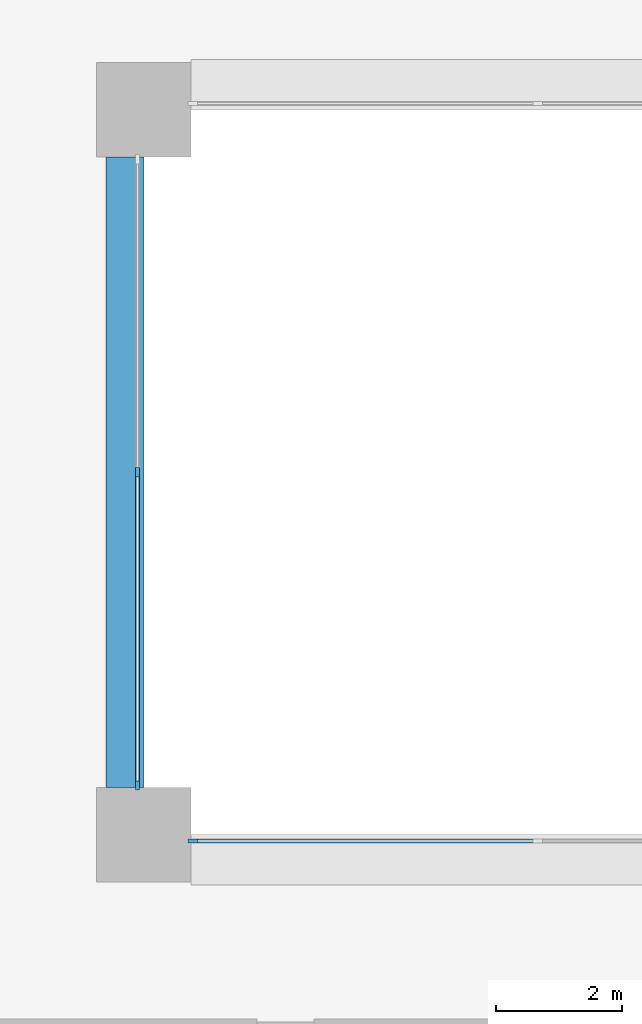
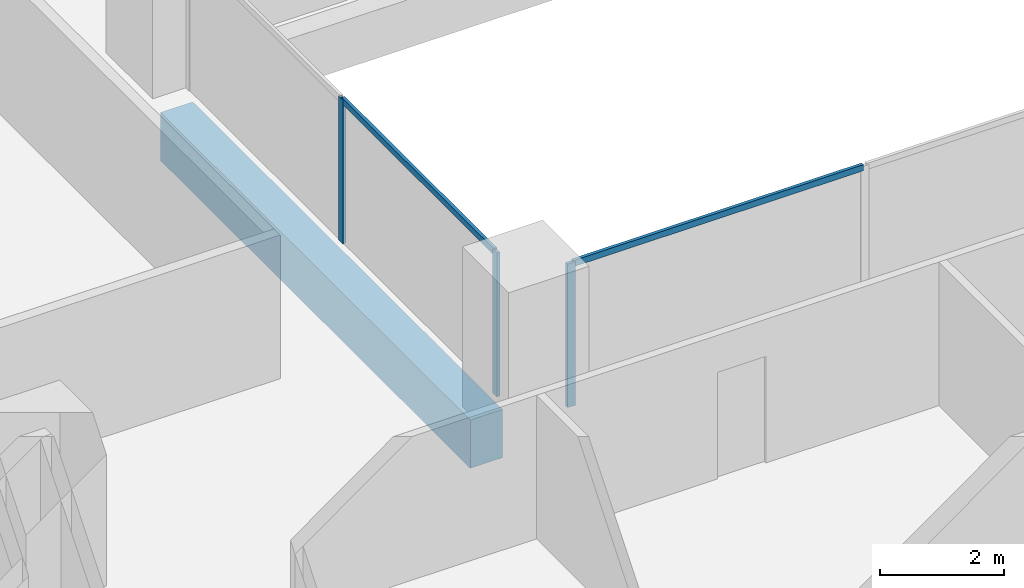
# One storey, part 2 of 20: 5 members, 1 beam, 2 elements without a shape of their own.
"""IFC4 building model written with IfcOpenShell, lengths in metres."""

import ifcopenshell
import ifcopenshell.guid

model = None  # the IFC model being written
_history = None  # IfcOwnerHistory: only IFC2X3 demands one
_inside = {}  # id of a spatial element -> (the spatial element, [elements in it])
_under = {}  # id of a project, library or spatial element -> (it, [spatial elements below it])
_declared = {}  # id of a project -> (the project, [libraries it declares])
_typed = {}  # id of a type object -> (the type object, [elements of that type])
_made_of = {}  # id of a material, layer set ... -> (it, [elements and type objects made of it])


def new_model(schema):
    """Start an empty IFC model of exactly this schema.

    Asked for "IFC4X3", IfcOpenShell would pick the latest addendum, in which some entities
    have other attributes; the version numbers below select the first issue.
    IFC2X3 requires an IfcOwnerHistory on every rooted entity: one is made here for all.
    """
    global model, _history
    if schema == "IFC4X3":
        model = ifcopenshell.file(schema_version=(4, 3, 0, 0))
    else:
        model = ifcopenshell.file(schema=schema)
    _inside.clear()
    _under.clear()
    _declared.clear()
    _typed.clear()
    _made_of.clear()
    _history = None
    if model.schema == "IFC2X3":
        org = make("IfcOrganization", Name="unknown")
        user = make(
            "IfcPersonAndOrganization",
            ThePerson=make("IfcPerson", FamilyName="unknown"),
            TheOrganization=org,
        )
        app = make(
            "IfcApplication",
            ApplicationDeveloper=org,
            Version="unknown",
            ApplicationFullName="unknown",
            ApplicationIdentifier="unknown",
        )
        _history = make(
            "IfcOwnerHistory",
            OwningUser=user,
            OwningApplication=app,
            ChangeAction="ADDED",
            CreationDate=0,
        )
    return model


def make(cls, **values):
    """One entity of the class cls with the attributes given. An attribute that is None is left unset."""
    return model.create_entity(
        cls, **{name: value for name, value in values.items() if value is not None}
    )


def rooted(cls, **values):
    """An entity with a GlobalId (a new one), such as an element, a storey or a relation."""
    return make(cls, GlobalId=ifcopenshell.guid.new(), OwnerHistory=_history, **values)


def si_unit(unit_type, name, prefix=None):
    """IfcSIUnit, for example si_unit("LENGTHUNIT", "METRE", prefix="MILLI")."""
    return make("IfcSIUnit", UnitType=unit_type, Prefix=prefix, Name=name)


def assignment(units):
    """IfcUnitAssignment: the units of a project."""
    return None if units is None else make("IfcUnitAssignment", Units=units)


def point(xyz):
    """IfcCartesianPoint."""
    return None if xyz is None else make("IfcCartesianPoint", Coordinates=xyz)


def direction(xyz):
    """IfcDirection."""
    return None if xyz is None else make("IfcDirection", DirectionRatios=xyz)


def frame(location, z_axis=None, x_axis=None):
    """IfcAxis2Placement3D, a coordinate frame: its origin and axes. An axis left out is left unset."""
    return make(
        "IfcAxis2Placement3D",
        Location=point(location),
        Axis=direction(z_axis),
        RefDirection=direction(x_axis),
    )


def frame_2d(location, x_axis=None):
    """IfcAxis2Placement2D, a coordinate frame in the plane: its origin and x axis."""
    return make(
        "IfcAxis2Placement2D", Location=point(location), RefDirection=direction(x_axis)
    )


def origin():
    """The frame at (0, 0, 0) with its axes left unset."""
    return frame((0.0, 0.0, 0.0))


def origin_2d():
    """The frame at (0, 0) in the plane with its x axis left unset."""
    return frame_2d((0.0, 0.0))


def place(relative_to, where):
    """IfcLocalPlacement: puts the frame where relative to a parent placement (None: the world)."""
    return make(
        "IfcLocalPlacement", PlacementRelTo=relative_to, RelativePlacement=where
    )


def context(
    kind, dimensions, precision=None, world=None, true_north=None, identifier=None
):
    """IfcGeometricRepresentationContext, for example the 3D "Model" context."""
    return make(
        "IfcGeometricRepresentationContext",
        ContextIdentifier=identifier,
        ContextType=kind,
        CoordinateSpaceDimension=dimensions,
        Precision=precision,
        WorldCoordinateSystem=world,
        TrueNorth=true_north,
    )


def subcontext(parent, identifier, kind, view, scale=None):
    """IfcGeometricRepresentationSubContext, for example "Body" below "Model"."""
    return make(
        "IfcGeometricRepresentationSubContext",
        ContextIdentifier=identifier,
        ContextType=kind,
        ParentContext=parent,
        TargetScale=scale,
        TargetView=view,
    )


def project(units=None, contexts=None):
    """IfcProject with its units and contexts."""
    return rooted(
        "IfcProject",
        Name="project",
        RepresentationContexts=contexts,
        UnitsInContext=assignment(units),
    )


def spatial(cls, under=None, at=None, **own):
    """A site, building, storey or space (cls), placed at a placement, below another one or the project."""
    s = rooted(cls, ObjectPlacement=at, **own)
    if under is not None:
        _under.setdefault(under.id(), (under, []))[1].append(s)
    return s


def profile(cls, at=None, kind="AREA", **sizes):
    """A parametric profile (cls). Its sizes go by their IFC names, for example OverallWidth=200.0."""
    return make(cls, ProfileType=kind, Position=at, **sizes)


def rectangle(**sizes):
    """IfcRectangleProfileDef."""
    return profile("IfcRectangleProfileDef", **sizes)


def extrude(swept, where, along, depth):
    """IfcExtrudedAreaSolid: the profile swept, set in the frame where, extruded along a direction by depth."""
    return make(
        "IfcExtrudedAreaSolid",
        SweptArea=swept,
        Position=where,
        ExtrudedDirection=direction(along),
        Depth=depth,
    )


def shape(context_of_items, identifier, shape_type, items):
    """IfcShapeRepresentation: the items that make up one representation, for example the "Body"."""
    return make(
        "IfcShapeRepresentation",
        ContextOfItems=context_of_items,
        RepresentationIdentifier=identifier,
        RepresentationType=shape_type,
        Items=items,
    )


def material(Name=None, Category=None):
    """IfcMaterial."""
    return make("IfcMaterial", Name=Name, Category=Category)


def layer(
    of_material, thickness, ventilated=None, Name=None, Category=None, Priority=None
):
    """IfcMaterialLayer: one layer of a wall or slab, of a material (None: an air gap)."""
    return make(
        "IfcMaterialLayer",
        Material=of_material,
        LayerThickness=thickness,
        IsVentilated=ventilated,
        Name=Name,
        Category=Category,
        Priority=Priority,
    )


def layer_set(layers, Name=None):
    """IfcMaterialLayerSet."""
    return make("IfcMaterialLayerSet", MaterialLayers=layers, LayerSetName=Name)


def material_profile(
    of_material, cross_section, Name=None, Category=None, Priority=None
):
    """IfcMaterialProfile: a cross section and its material."""
    return make(
        "IfcMaterialProfile",
        Name=Name,
        Material=of_material,
        Profile=cross_section,
        Priority=Priority,
        Category=Category,
    )


def profile_set(profiles, Name=None, composite=None):
    """IfcMaterialProfileSet."""
    return make(
        "IfcMaterialProfileSet",
        Name=Name,
        MaterialProfiles=profiles,
        CompositeProfile=composite,
    )


def made_of(thing, what):
    """Note that an element or type object is made of a material, layer set ...; save() writes the relation."""
    if what is not None:
        _made_of.setdefault(what.id(), (what, []))[1].append(thing)
    return thing


def type_object(cls, material=None, **own):
    """A type object (cls), such as IfcWallType, which elements share."""
    return made_of(rooted(cls, **own), material)


def element(
    cls,
    number,
    at=None,
    inside=None,
    cuts=None,
    type_object=None,
    material=None,
    context=None,
    identifier="Body",
    shape_type=None,
    held_by="IfcProductDefinitionShape",
    body=None,
    shapes=None,
    **own,
):
    """One element of the class cls, such as IfcWall. Its Tag is "e" and its number.

    at: its placement. inside: the storey or other place that contains it. cuts: it is an
    opening in that element (IfcRelVoidsElement). A single representation is given by context,
    identifier, shape_type and body (its items); several are given by shapes. held_by: the class
    of the entity that holds the representations. save() writes the other relations.
    """
    e = rooted(cls, Tag="e%d" % number, ObjectPlacement=at, **own)
    if body is not None:
        shapes = [shape(context, identifier, shape_type, body)]
    if shapes is not None:
        e.Representation = make(held_by, Representations=shapes)
    if inside is not None:
        _inside.setdefault(inside.id(), (inside, []))[1].append(e)
    if cuts is not None:
        rooted(
            "IfcRelVoidsElement", RelatingBuildingElement=cuts, RelatedOpeningElement=e
        )
    if type_object is not None:
        _typed.setdefault(type_object.id(), (type_object, []))[1].append(e)
    return made_of(e, material)


def aggregate(whole, parts):
    """IfcRelAggregates: a whole, such as a stair, and the parts it consists of."""
    return rooted("IfcRelAggregates", RelatingObject=whole, RelatedObjects=parts)


def save(model, path):
    """Write the relations noted so far, then the file.

    IfcRelAggregates (storeys below a building ...), IfcRelContainedInSpatialStructure (elements
    in a storey), IfcRelDefinesByType, IfcRelAssociatesMaterial and IfcRelDeclares: one each for
    every whole, place, type object, material and project.
    """
    for whole, parts in _under.values():
        aggregate(whole, parts)
    for where, things in _inside.values():
        rooted(
            "IfcRelContainedInSpatialStructure",
            RelatedElements=things,
            RelatingStructure=where,
        )
    for kind, things in _typed.values():
        rooted("IfcRelDefinesByType", RelatedObjects=things, RelatingType=kind)
    for what, things in _made_of.values():
        rooted("IfcRelAssociatesMaterial", RelatedObjects=things, RelatingMaterial=what)
    for by, libraries in _declared.values():
        rooted("IfcRelDeclares", RelatingContext=by, RelatedDefinitions=libraries)
    model.write(path)


model = new_model("IFC4")

# Units and contexts
model_context = context("Model", 3, precision=1e-05, world=origin(), true_north=direction((0.0, 1.0)))
body_context = subcontext(model_context, "Body", "Model", "MODEL_VIEW")
ifc_project = project(units=[si_unit("LENGTHUNIT", "METRE"), si_unit("AREAUNIT", "SQUARE_METRE"), si_unit("VOLUMEUNIT", "CUBIC_METRE"), si_unit("PLANEANGLEUNIT", "RADIAN"), si_unit("MASSUNIT", "GRAM", prefix="KILO")], contexts=[model_context])

# Site, building, storey
site_placement = place(None, origin())
site = spatial("IfcSite", under=ifc_project, at=site_placement, CompositionType="ELEMENT")
building_placement = place(site_placement, origin())
building = spatial("IfcBuilding", under=site, at=building_placement, Name="Brigalow Station Residences", CompositionType="ELEMENT")
storey_placement = place(building_placement, frame((0.0, 0.0, 54.14990234375)))
storey = spatial("IfcBuildingStorey", under=building, at=storey_placement, Name="L15", CompositionType="ELEMENT", Elevation=54.14990234375)

# Beam
ifc_material_1 = material(Name="Concrete C65", Category="concrete")
ifc_material_profile_1 = material_profile(ifc_material_1, rectangle(XDim=0.60009765625, YDim=0.949951171875, at=origin_2d()), Name="RC600x950")
ifc_profile_set_1 = profile_set([ifc_material_profile_1], Name="Concrete C65")
beam_type = type_object("IfcBeamType", Name="ATRIUM EDGE GIRDER 600x950 C65", PredefinedType="BEAM", material=ifc_profile_set_1)
beam_placement = place(storey_placement, frame((26.699951171875, 24.75, -0.794921875), z_axis=(0.0, 1.0, 0.0), x_axis=(-1.0, 0.0, 0.0)))
element("IfcBeam", 1, at=beam_placement, inside=storey, type_object=beam_type, Name="ATRIUM EDGE GIRDER 3 L15", PredefinedType="BEAM", context=body_context, shape_type="SweptSolid", body=[
    extrude(rectangle(XDim=0.60009765625, YDim=0.949951171875, at=origin_2d()), origin(), (0.0, 0.0, 1.0), 10.0),
])

# Curtain wall, member
ifc_material_2 = material(Name="Aluminium", Category="aluminium")
ifc_layer = layer(ifc_material_2, 0.14990234375)
ifc_layer_set = layer_set([ifc_layer], Name="ATRIUM FIRE-RATED GLAZING CURTAIN WALL")
curtain_wall_type = type_object("IfcCurtainWallType", Name="ATRIUM FIRE-RATED GLAZING CURTAIN WALL", PredefinedType="NOTDEFINED", material=ifc_layer_set)
curtain_wall_1_placement = place(storey_placement, origin())
curtain_wall_1 = element("IfcCurtainWall", 2, at=curtain_wall_1_placement, inside=storey, type_object=curtain_wall_type, Name="L15/cw/atrium-S", PredefinedType="NOTDEFINED")
ifc_material_3 = material(Name="Aluminium", Category="aluminium")
ifc_material_profile_2 = material_profile(ifc_material_3, rectangle(XDim=0.06005859375, YDim=0.14990234375, at=origin_2d()), Name="ATRIUM FIRE-RATED GLAZING MULLION 60x150")
ifc_profile_set_2 = profile_set([ifc_material_profile_2], Name="Aluminium")
member_type_1 = type_object("IfcMemberType", Name="ATRIUM FIRE-RATED GLAZING MULLION 60x150", PredefinedType="MULLION", material=ifc_profile_set_2)
member_1_placement = place(storey_placement, frame((27.780029296875, 23.89990234375, 0.0), z_axis=(0.0, 0.0, 1.0), x_axis=(0.0, 1.0, 0.0)))
member_1 = element("IfcMember", 3, at=member_1_placement, type_object=member_type_1, Name="L15/cw/atrium-S/M00", PredefinedType="MULLION", context=body_context, shape_type="SweptSolid", body=[
    extrude(rectangle(XDim=0.06005859375, YDim=0.14990234375, at=origin_2d()), origin(), (0.0, 0.0, 1.0), 2.830078125),
])

# Curtain wall, members
curtain_wall_2_placement = place(storey_placement, origin())
curtain_wall_2 = element("IfcCurtainWall", 4, at=curtain_wall_2_placement, inside=storey, type_object=curtain_wall_type, Name="L15/cw/atrium-W", PredefinedType="NOTDEFINED")
member_2_placement = place(storey_placement, frame((26.89990234375, 29.75, 0.0), z_axis=(0.0, 0.0, 1.0), x_axis=(1.0, 0.0, 0.0)))
member_2 = element("IfcMember", 5, at=member_2_placement, type_object=member_type_1, Name="L15/cw/atrium-W/M01", PredefinedType="MULLION", context=body_context, shape_type="SweptSolid", body=[
    extrude(rectangle(XDim=0.06005859375, YDim=0.14990234375, at=origin_2d()), origin(), (0.0, 0.0, 1.0), 2.830078125),
])
member_3_placement = place(storey_placement, frame((26.89990234375, 24.780029296875, 0.0), z_axis=(0.0, 0.0, 1.0), x_axis=(1.0, 0.0, 0.0)))
member_3 = element("IfcMember", 6, at=member_3_placement, type_object=member_type_1, Name="L15/cw/atrium-W/M02", PredefinedType="MULLION", context=body_context, shape_type="SweptSolid", body=[
    extrude(rectangle(XDim=0.06005859375, YDim=0.14990234375, at=origin_2d()), origin(), (0.0, 0.0, 1.0), 2.830078125),
])

# Member
ifc_material_4 = material(Name="Aluminium", Category="aluminium")
ifc_material_profile_3 = material_profile(ifc_material_4, rectangle(XDim=0.06005859375, YDim=0.1201171875, at=origin_2d()), Name="ATRIUM FIRE-RATED GLAZING TRANSOM 60x120")
ifc_profile_set_3 = profile_set([ifc_material_profile_3], Name="Aluminium")
member_type_2 = type_object("IfcMemberType", Name="ATRIUM FIRE-RATED GLAZING TRANSOM 60x120", PredefinedType="USERDEFINED", material=ifc_profile_set_3)
member_4_placement = place(storey_placement, frame((27.81005859375, 23.89990234375, 2.800048828125), z_axis=(1.0, 0.0, 0.0), x_axis=(0.0, 1.0, 0.0)))
member_4 = element("IfcMember", 7, at=member_4_placement, type_object=member_type_2, Name="L15/cw/atrium-S/T00-00", ObjectType="TRANSOM", PredefinedType="USERDEFINED", context=body_context, shape_type="SweptSolid", body=[
    extrude(rectangle(XDim=0.06005859375, YDim=0.1201171875, at=origin_2d()), origin(), (0.0, 0.0, 1.0), 5.409912109375),
])

aggregate(curtain_wall_1, [member_1, member_4])

member_5_placement = place(storey_placement, frame((26.89990234375, 29.719970703125, 2.800048828125), z_axis=(0.0, -1.0, 0.0), x_axis=(1.0, 0.0, 0.0)))
member_5 = element("IfcMember", 8, at=member_5_placement, type_object=member_type_2, Name="L15/cw/atrium-W/T01-00", ObjectType="TRANSOM", PredefinedType="USERDEFINED", context=body_context, shape_type="SweptSolid", body=[
    extrude(rectangle(XDim=0.06005859375, YDim=0.1201171875, at=origin_2d()), origin(), (0.0, 0.0, 1.0), 4.909912109375),
])

aggregate(curtain_wall_2, [member_2, member_3, member_5])

save(model, "model.ifc")
